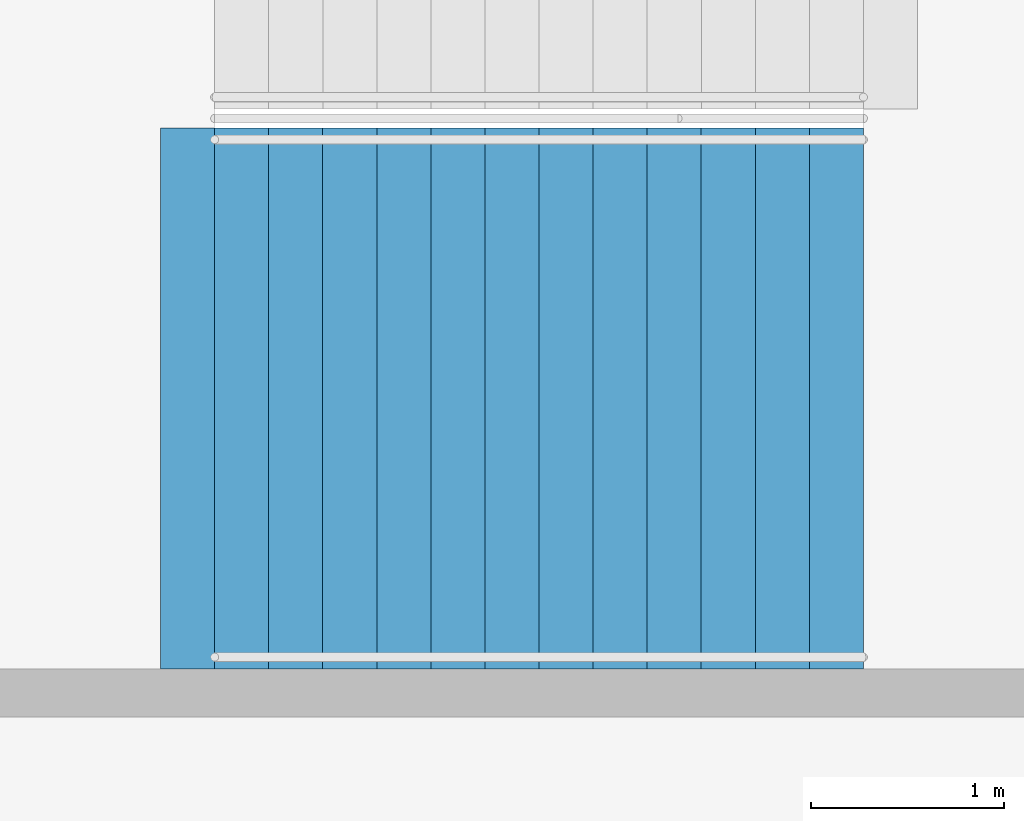
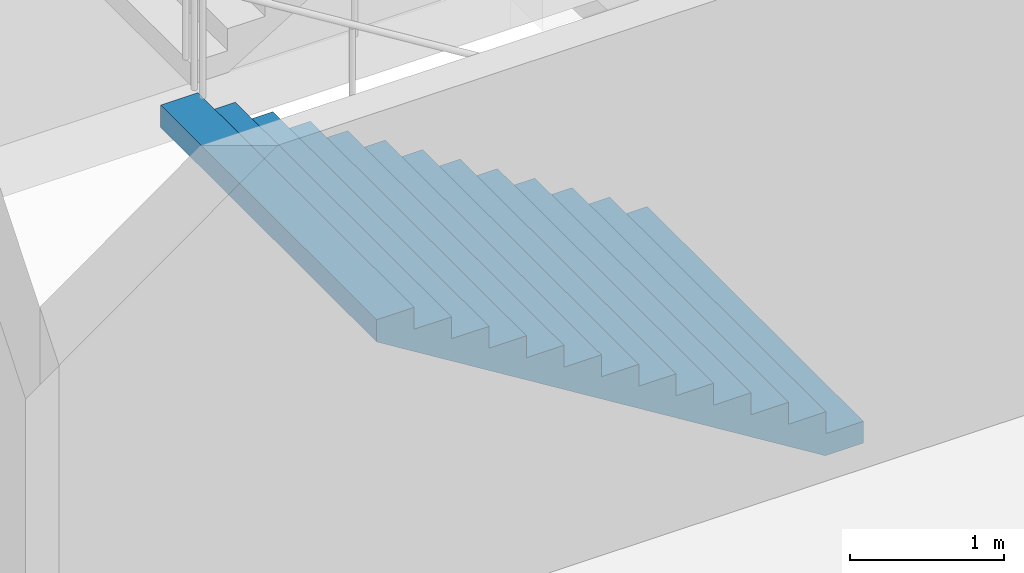
# One storey, part 116 of 199: 1 stair flight, 1 element without a shape of its own.
"""IFC4 building model written with IfcOpenShell, lengths in metres."""

from ifc_helpers import new_model, si_unit, direction, frame, origin, place, context, subcontext, project, spatial, faceted_brep, material, type_object, element, aggregate, save


model = new_model("IFC4")

# Units and contexts
model_context = context("Model", 3, precision=1e-05, world=origin(), true_north=direction((0.0, 1.0)))
body_context = subcontext(model_context, "Body", "Model", "MODEL_VIEW")
ifc_project = project(units=[si_unit("LENGTHUNIT", "METRE"), si_unit("AREAUNIT", "SQUARE_METRE"), si_unit("VOLUMEUNIT", "CUBIC_METRE"), si_unit("PLANEANGLEUNIT", "RADIAN"), si_unit("MASSUNIT", "GRAM", prefix="KILO")], contexts=[model_context])

# Site, building, storey
site_placement = place(None, origin())
site = spatial("IfcSite", under=ifc_project, at=site_placement, CompositionType="ELEMENT")
building_placement = place(site_placement, origin())
building = spatial("IfcBuilding", under=site, at=building_placement, Name="Ogive Plaza Stadium", CompositionType="ELEMENT")
storey_placement = place(building_placement, frame((0.0, 0.0, 4.5)))
storey = spatial("IfcBuildingStorey", under=building, at=storey_placement, Name="L01", CompositionType="ELEMENT", Elevation=4.5)

# Stair, stair flight
ifc_material_1 = material(Name="Concrete C40/50", Category="concrete")
stair_type = type_object("IfcStairType", Name="Exit stair", PredefinedType="STRAIGHT_RUN_STAIR", material=ifc_material_1)
stair_placement = place(storey_placement, origin())
stair = element("IfcStair", 1, at=stair_placement, inside=storey, type_object=stair_type, Name="Exit stair ST22B L01 to L02", PredefinedType="STRAIGHT_RUN_STAIR")
ifc_material_2 = material(Name="Concrete C40/50", Category="concrete")
stair_flight_type = type_object("IfcStairFlightType", Name="Exit stair flight", PredefinedType="STRAIGHT", material=ifc_material_2)
stair_flight_placement = place(storey_placement, frame((-76.35009765625, -41.925048828125, 0.0), z_axis=(0.0, 0.0, 1.0), x_axis=(-1.0, 0.0, 0.0)))
stair_flight = element("IfcStairFlight", 2, at=stair_flight_placement, type_object=stair_flight_type, Name="ST22B flight 1", NumberOfRisers=13, NumberOfTreads=12, PredefinedType="STRAIGHT", RiserHeight=0.173076923, TreadLength=0.28, context=body_context, shape_type="Brep", body=[
    faceted_brep([(0.28515625, -1.39990234375, 0.0), (3.639892578125, -1.39990234375, 2.07373046875), (3.639892578125, -1.39990234375, 2.25), (3.360107421875, -1.39990234375, 2.25), (3.360107421875, -1.39990234375, 2.076904296875), (3.080078125, -1.39990234375, 2.076904296875), (3.080078125, -1.39990234375, 1.90380859375), (2.800048828125, -1.39990234375, 1.90380859375), (2.800048828125, -1.39990234375, 1.730712890625), (2.52001953125, -1.39990234375, 1.730712890625), (2.52001953125, -1.39990234375, 1.5576171875), (2.239990234375, -1.39990234375, 1.5576171875), (2.239990234375, -1.39990234375, 1.384521484375), (1.9599609375, -1.39990234375, 1.384521484375), (1.9599609375, -1.39990234375, 1.21142578125), (1.679931640625, -1.39990234375, 1.21142578125), (1.679931640625, -1.39990234375, 1.03857421875), (1.39990234375, -1.39990234375, 1.03857421875), (1.39990234375, -1.39990234375, 0.865478515625), (1.1201171875, -1.39990234375, 0.865478515625), (1.1201171875, -1.39990234375, 0.6923828125), (0.840087890625, -1.39990234375, 0.6923828125), (0.840087890625, -1.39990234375, 0.519287109375), (0.56005859375, -1.39990234375, 0.519287109375), (0.56005859375, -1.39990234375, 0.34619140625), (0.280029296875, -1.39990234375, 0.34619140625), (0.280029296875, -1.39990234375, 0.173095703125), (0.0, -1.39990234375, 0.173095703125), (0.0, -1.39990234375, 0.0), (0.0, 1.39990234375, 0.0), (0.0, 1.39990234375, 0.173095703125), (0.280029296875, 1.39990234375, 0.173095703125), (0.280029296875, 1.39990234375, 0.34619140625), (0.56005859375, 1.39990234375, 0.34619140625), (0.56005859375, 1.39990234375, 0.519287109375), (0.840087890625, 1.39990234375, 0.519287109375), (0.840087890625, 1.39990234375, 0.6923828125), (1.1201171875, 1.39990234375, 0.6923828125), (1.1201171875, 1.39990234375, 0.865478515625), (1.39990234375, 1.39990234375, 0.865478515625), (1.39990234375, 1.39990234375, 1.03857421875), (1.679931640625, 1.39990234375, 1.03857421875), (1.679931640625, 1.39990234375, 1.21142578125), (1.9599609375, 1.39990234375, 1.21142578125), (1.9599609375, 1.39990234375, 1.384521484375), (2.239990234375, 1.39990234375, 1.384521484375), (2.239990234375, 1.39990234375, 1.5576171875), (2.52001953125, 1.39990234375, 1.5576171875), (2.52001953125, 1.39990234375, 1.730712890625), (2.800048828125, 1.39990234375, 1.730712890625), (2.800048828125, 1.39990234375, 1.90380859375), (3.080078125, 1.39990234375, 1.90380859375), (3.080078125, 1.39990234375, 2.076904296875), (3.360107421875, 1.39990234375, 2.076904296875), (3.360107421875, 1.39990234375, 2.25), (3.639892578125, 1.39990234375, 2.25), (3.639892578125, 1.39990234375, 2.07373046875), (0.28515625, 1.39990234375, 0.0), (0.28515625, -1.0888671875, 0.0), (3.639892578125, -1.0888671875, 2.07373046875), (0.28515625, -0.77783203125, 0.0), (3.639892578125, -0.77783203125, 2.07373046875), (0.28515625, -0.466796875, 0.0), (3.639892578125, -0.466796875, 2.07373046875), (0.28515625, -0.155517578125, 0.0), (3.639892578125, -0.155517578125, 2.07373046875), (0.28515625, 0.155517578125, 0.0), (3.639892578125, 0.155517578125, 2.07373046875), (0.28515625, 0.466796875, 0.0), (3.639892578125, 0.466796875, 2.07373046875), (0.28515625, 0.77783203125, 0.0), (3.639892578125, 0.77783203125, 2.07373046875), (0.28515625, 1.0888671875, 0.0), (3.639892578125, 1.0888671875, 2.07373046875), (3.639892578125, -1.0888671875, 2.25), (3.639892578125, -0.77783203125, 2.25), (3.639892578125, -0.466796875, 2.25), (3.639892578125, -0.155517578125, 2.25), (3.639892578125, 0.155517578125, 2.25), (3.639892578125, 0.466796875, 2.25), (3.639892578125, 0.77783203125, 2.25), (3.639892578125, 1.0888671875, 2.25), (3.360107421875, -1.0888671875, 2.25), (3.360107421875, -0.77783203125, 2.25), (3.360107421875, -0.466796875, 2.25), (3.360107421875, -0.155517578125, 2.25), (3.360107421875, 0.155517578125, 2.25), (3.360107421875, 0.466796875, 2.25), (3.360107421875, 0.77783203125, 2.25), (3.360107421875, 1.0888671875, 2.25), (3.360107421875, -1.0888671875, 2.076904296875), (3.360107421875, -0.77783203125, 2.076904296875), (3.360107421875, -0.466796875, 2.076904296875), (3.360107421875, -0.155517578125, 2.076904296875), (3.360107421875, 0.155517578125, 2.076904296875), (3.360107421875, 0.466796875, 2.076904296875), (3.360107421875, 0.77783203125, 2.076904296875), (3.360107421875, 1.0888671875, 2.076904296875), (3.080078125, -1.0888671875, 2.076904296875), (3.080078125, -0.77783203125, 2.076904296875), (3.080078125, -0.466796875, 2.076904296875), (3.080078125, -0.155517578125, 2.076904296875), (3.080078125, 0.155517578125, 2.076904296875), (3.080078125, 0.466796875, 2.076904296875), (3.080078125, 0.77783203125, 2.076904296875), (3.080078125, 1.0888671875, 2.076904296875), (3.080078125, -1.0888671875, 1.90380859375), (3.080078125, -0.77783203125, 1.90380859375), (3.080078125, -0.466796875, 1.90380859375), (3.080078125, -0.155517578125, 1.90380859375), (3.080078125, 0.155517578125, 1.90380859375), (3.080078125, 0.466796875, 1.90380859375), (3.080078125, 0.77783203125, 1.90380859375), (3.080078125, 1.0888671875, 1.90380859375), (2.800048828125, -1.0888671875, 1.90380859375), (2.800048828125, -0.77783203125, 1.90380859375), (2.800048828125, -0.466796875, 1.90380859375), (2.800048828125, -0.155517578125, 1.90380859375), (2.800048828125, 0.155517578125, 1.90380859375), (2.800048828125, 0.466796875, 1.90380859375), (2.800048828125, 0.77783203125, 1.90380859375), (2.800048828125, 1.0888671875, 1.90380859375), (2.800048828125, -1.0888671875, 1.730712890625), (2.800048828125, -0.77783203125, 1.730712890625), (2.800048828125, -0.466796875, 1.730712890625), (2.800048828125, -0.155517578125, 1.730712890625), (2.800048828125, 0.155517578125, 1.730712890625), (2.800048828125, 0.466796875, 1.730712890625), (2.800048828125, 0.77783203125, 1.730712890625), (2.800048828125, 1.0888671875, 1.730712890625), (2.52001953125, -1.0888671875, 1.730712890625), (2.52001953125, -0.77783203125, 1.730712890625), (2.52001953125, -0.466796875, 1.730712890625), (2.52001953125, -0.155517578125, 1.730712890625), (2.52001953125, 0.155517578125, 1.730712890625), (2.52001953125, 0.466796875, 1.730712890625), (2.52001953125, 0.77783203125, 1.730712890625), (2.52001953125, 1.0888671875, 1.730712890625), (2.52001953125, -1.0888671875, 1.5576171875), (2.52001953125, -0.77783203125, 1.5576171875), (2.52001953125, -0.466796875, 1.5576171875), (2.52001953125, -0.155517578125, 1.5576171875), (2.52001953125, 0.155517578125, 1.5576171875), (2.52001953125, 0.466796875, 1.5576171875), (2.52001953125, 0.77783203125, 1.5576171875), (2.52001953125, 1.0888671875, 1.5576171875), (2.239990234375, -1.0888671875, 1.5576171875), (2.239990234375, -0.77783203125, 1.5576171875), (2.239990234375, -0.466796875, 1.5576171875), (2.239990234375, -0.155517578125, 1.5576171875), (2.239990234375, 0.155517578125, 1.5576171875), (2.239990234375, 0.466796875, 1.5576171875), (2.239990234375, 0.77783203125, 1.5576171875), (2.239990234375, 1.0888671875, 1.5576171875), (2.239990234375, -1.0888671875, 1.384521484375), (2.239990234375, -0.77783203125, 1.384521484375), (2.239990234375, -0.466796875, 1.384521484375), (2.239990234375, -0.155517578125, 1.384521484375), (2.239990234375, 0.155517578125, 1.384521484375), (2.239990234375, 0.466796875, 1.384521484375), (2.239990234375, 0.77783203125, 1.384521484375), (2.239990234375, 1.0888671875, 1.384521484375), (1.9599609375, -1.0888671875, 1.384521484375), (1.9599609375, -0.77783203125, 1.384521484375), (1.9599609375, -0.466796875, 1.384521484375), (1.9599609375, -0.155517578125, 1.384521484375), (1.9599609375, 0.155517578125, 1.384521484375), (1.9599609375, 0.466796875, 1.384521484375), (1.9599609375, 0.77783203125, 1.384521484375), (1.9599609375, 1.0888671875, 1.384521484375), (1.9599609375, -1.0888671875, 1.21142578125), (1.9599609375, -0.77783203125, 1.21142578125), (1.9599609375, -0.466796875, 1.21142578125), (1.9599609375, -0.155517578125, 1.21142578125), (1.9599609375, 0.155517578125, 1.21142578125), (1.9599609375, 0.466796875, 1.21142578125), (1.9599609375, 0.77783203125, 1.21142578125), (1.9599609375, 1.0888671875, 1.21142578125), (1.679931640625, -1.0888671875, 1.21142578125), (1.679931640625, -0.77783203125, 1.21142578125), (1.679931640625, -0.466796875, 1.21142578125), (1.679931640625, -0.155517578125, 1.21142578125), (1.679931640625, 0.155517578125, 1.21142578125), (1.679931640625, 0.466796875, 1.21142578125), (1.679931640625, 0.77783203125, 1.21142578125), (1.679931640625, 1.0888671875, 1.21142578125), (1.679931640625, -1.0888671875, 1.03857421875), (1.679931640625, -0.77783203125, 1.03857421875), (1.679931640625, -0.466796875, 1.03857421875), (1.679931640625, -0.155517578125, 1.03857421875), (1.679931640625, 0.155517578125, 1.03857421875), (1.679931640625, 0.466796875, 1.03857421875), (1.679931640625, 0.77783203125, 1.03857421875), (1.679931640625, 1.0888671875, 1.03857421875), (1.39990234375, -1.0888671875, 1.03857421875), (1.39990234375, -0.77783203125, 1.03857421875), (1.39990234375, -0.466796875, 1.03857421875), (1.39990234375, -0.155517578125, 1.03857421875), (1.39990234375, 0.155517578125, 1.03857421875), (1.39990234375, 0.466796875, 1.03857421875), (1.39990234375, 0.77783203125, 1.03857421875), (1.39990234375, 1.0888671875, 1.03857421875), (1.39990234375, -1.0888671875, 0.865478515625), (1.39990234375, -0.77783203125, 0.865478515625), (1.39990234375, -0.466796875, 0.865478515625), (1.39990234375, -0.155517578125, 0.865478515625), (1.39990234375, 0.155517578125, 0.865478515625), (1.39990234375, 0.466796875, 0.865478515625), (1.39990234375, 0.77783203125, 0.865478515625), (1.39990234375, 1.0888671875, 0.865478515625), (1.1201171875, -1.0888671875, 0.865478515625), (1.1201171875, -0.77783203125, 0.865478515625), (1.1201171875, -0.466796875, 0.865478515625), (1.1201171875, -0.155517578125, 0.865478515625), (1.1201171875, 0.155517578125, 0.865478515625), (1.1201171875, 0.466796875, 0.865478515625), (1.1201171875, 0.77783203125, 0.865478515625), (1.1201171875, 1.0888671875, 0.865478515625), (1.1201171875, -1.0888671875, 0.6923828125), (1.1201171875, -0.77783203125, 0.6923828125), (1.1201171875, -0.466796875, 0.6923828125), (1.1201171875, -0.155517578125, 0.6923828125), (1.1201171875, 0.155517578125, 0.6923828125), (1.1201171875, 0.466796875, 0.6923828125), (1.1201171875, 0.77783203125, 0.6923828125), (1.1201171875, 1.0888671875, 0.6923828125), (0.840087890625, -1.0888671875, 0.6923828125), (0.840087890625, -0.77783203125, 0.6923828125), (0.840087890625, -0.466796875, 0.6923828125), (0.840087890625, -0.155517578125, 0.6923828125), (0.840087890625, 0.155517578125, 0.6923828125), (0.840087890625, 0.466796875, 0.6923828125), (0.840087890625, 0.77783203125, 0.6923828125), (0.840087890625, 1.0888671875, 0.6923828125), (0.840087890625, -1.0888671875, 0.519287109375), (0.840087890625, -0.77783203125, 0.519287109375), (0.840087890625, -0.466796875, 0.519287109375), (0.840087890625, -0.155517578125, 0.519287109375), (0.840087890625, 0.155517578125, 0.519287109375), (0.840087890625, 0.466796875, 0.519287109375), (0.840087890625, 0.77783203125, 0.519287109375), (0.840087890625, 1.0888671875, 0.519287109375), (0.56005859375, -1.0888671875, 0.519287109375), (0.56005859375, -0.77783203125, 0.519287109375), (0.56005859375, -0.466796875, 0.519287109375), (0.56005859375, -0.155517578125, 0.519287109375), (0.56005859375, 0.155517578125, 0.519287109375), (0.56005859375, 0.466796875, 0.519287109375), (0.56005859375, 0.77783203125, 0.519287109375), (0.56005859375, 1.0888671875, 0.519287109375), (0.56005859375, -1.0888671875, 0.34619140625), (0.56005859375, -0.77783203125, 0.34619140625), (0.56005859375, -0.466796875, 0.34619140625), (0.56005859375, -0.155517578125, 0.34619140625), (0.56005859375, 0.155517578125, 0.34619140625), (0.56005859375, 0.466796875, 0.34619140625), (0.56005859375, 0.77783203125, 0.34619140625), (0.56005859375, 1.0888671875, 0.34619140625), (0.280029296875, -1.0888671875, 0.34619140625), (0.280029296875, -0.77783203125, 0.34619140625), (0.280029296875, -0.466796875, 0.34619140625), (0.280029296875, -0.155517578125, 0.34619140625), (0.280029296875, 0.155517578125, 0.34619140625), (0.280029296875, 0.466796875, 0.34619140625), (0.280029296875, 0.77783203125, 0.34619140625), (0.280029296875, 1.0888671875, 0.34619140625), (0.280029296875, -1.0888671875, 0.173095703125), (0.280029296875, -0.77783203125, 0.173095703125), (0.280029296875, -0.466796875, 0.173095703125), (0.280029296875, -0.155517578125, 0.173095703125), (0.280029296875, 0.155517578125, 0.173095703125), (0.280029296875, 0.466796875, 0.173095703125), (0.280029296875, 0.77783203125, 0.173095703125), (0.280029296875, 1.0888671875, 0.173095703125), (0.0, -1.0888671875, 0.173095703125), (0.0, -0.77783203125, 0.173095703125), (0.0, -0.466796875, 0.173095703125), (0.0, -0.155517578125, 0.173095703125), (0.0, 0.155517578125, 0.173095703125), (0.0, 0.466796875, 0.173095703125), (0.0, 0.77783203125, 0.173095703125), (0.0, 1.0888671875, 0.173095703125), (0.0, -1.0888671875, 0.0), (0.0, -0.77783203125, 0.0), (0.0, -0.466796875, 0.0), (0.0, -0.155517578125, 0.0), (0.0, 0.155517578125, 0.0), (0.0, 0.466796875, 0.0), (0.0, 0.77783203125, 0.0), (0.0, 1.0888671875, 0.0)], [[[0, 1, 2, 3, 4, 5, 6, 7, 8, 9, 10, 11, 12, 13, 14, 15, 16, 17, 18, 19, 20, 21, 22, 23, 24, 25, 26, 27, 28]], [[29, 30, 31, 32, 33, 34, 35, 36, 37, 38, 39, 40, 41, 42, 43, 44, 45, 46, 47, 48, 49, 50, 51, 52, 53, 54, 55, 56, 57]], [[0, 58, 59, 1]], [[58, 60, 61, 59]], [[60, 62, 63, 61]], [[62, 64, 65, 63]], [[64, 66, 67, 65]], [[66, 68, 69, 67]], [[68, 70, 71, 69]], [[70, 72, 73, 71]], [[72, 57, 56, 73]], [[1, 59, 74, 2]], [[59, 61, 75, 74]], [[61, 63, 76, 75]], [[63, 65, 77, 76]], [[65, 67, 78, 77]], [[67, 69, 79, 78]], [[69, 71, 80, 79]], [[71, 73, 81, 80]], [[73, 56, 55, 81]], [[2, 74, 82, 3]], [[74, 75, 83, 82]], [[75, 76, 84, 83]], [[76, 77, 85, 84]], [[77, 78, 86, 85]], [[78, 79, 87, 86]], [[79, 80, 88, 87]], [[80, 81, 89, 88]], [[81, 55, 54, 89]], [[3, 82, 90, 4]], [[82, 83, 91, 90]], [[83, 84, 92, 91]], [[84, 85, 93, 92]], [[85, 86, 94, 93]], [[86, 87, 95, 94]], [[87, 88, 96, 95]], [[88, 89, 97, 96]], [[89, 54, 53, 97]], [[4, 90, 98, 5]], [[90, 91, 99, 98]], [[91, 92, 100, 99]], [[92, 93, 101, 100]], [[93, 94, 102, 101]], [[94, 95, 103, 102]], [[95, 96, 104, 103]], [[96, 97, 105, 104]], [[97, 53, 52, 105]], [[5, 98, 106, 6]], [[98, 99, 107, 106]], [[99, 100, 108, 107]], [[100, 101, 109, 108]], [[101, 102, 110, 109]], [[102, 103, 111, 110]], [[103, 104, 112, 111]], [[104, 105, 113, 112]], [[105, 52, 51, 113]], [[6, 106, 114, 7]], [[106, 107, 115, 114]], [[107, 108, 116, 115]], [[108, 109, 117, 116]], [[109, 110, 118, 117]], [[110, 111, 119, 118]], [[111, 112, 120, 119]], [[112, 113, 121, 120]], [[113, 51, 50, 121]], [[7, 114, 122, 8]], [[114, 115, 123, 122]], [[115, 116, 124, 123]], [[116, 117, 125, 124]], [[117, 118, 126, 125]], [[118, 119, 127, 126]], [[119, 120, 128, 127]], [[120, 121, 129, 128]], [[121, 50, 49, 129]], [[8, 122, 130, 9]], [[122, 123, 131, 130]], [[123, 124, 132, 131]], [[124, 125, 133, 132]], [[125, 126, 134, 133]], [[126, 127, 135, 134]], [[127, 128, 136, 135]], [[128, 129, 137, 136]], [[129, 49, 48, 137]], [[9, 130, 138, 10]], [[130, 131, 139, 138]], [[131, 132, 140, 139]], [[132, 133, 141, 140]], [[133, 134, 142, 141]], [[134, 135, 143, 142]], [[135, 136, 144, 143]], [[136, 137, 145, 144]], [[137, 48, 47, 145]], [[10, 138, 146, 11]], [[138, 139, 147, 146]], [[139, 140, 148, 147]], [[140, 141, 149, 148]], [[141, 142, 150, 149]], [[142, 143, 151, 150]], [[143, 144, 152, 151]], [[144, 145, 153, 152]], [[145, 47, 46, 153]], [[11, 146, 154, 12]], [[146, 147, 155, 154]], [[147, 148, 156, 155]], [[148, 149, 157, 156]], [[149, 150, 158, 157]], [[150, 151, 159, 158]], [[151, 152, 160, 159]], [[152, 153, 161, 160]], [[153, 46, 45, 161]], [[12, 154, 162, 13]], [[154, 155, 163, 162]], [[155, 156, 164, 163]], [[156, 157, 165, 164]], [[157, 158, 166, 165]], [[158, 159, 167, 166]], [[159, 160, 168, 167]], [[160, 161, 169, 168]], [[161, 45, 44, 169]], [[13, 162, 170, 14]], [[162, 163, 171, 170]], [[163, 164, 172, 171]], [[164, 165, 173, 172]], [[165, 166, 174, 173]], [[166, 167, 175, 174]], [[167, 168, 176, 175]], [[168, 169, 177, 176]], [[169, 44, 43, 177]], [[14, 170, 178, 15]], [[170, 171, 179, 178]], [[171, 172, 180, 179]], [[172, 173, 181, 180]], [[173, 174, 182, 181]], [[174, 175, 183, 182]], [[175, 176, 184, 183]], [[176, 177, 185, 184]], [[177, 43, 42, 185]], [[15, 178, 186, 16]], [[178, 179, 187, 186]], [[179, 180, 188, 187]], [[180, 181, 189, 188]], [[181, 182, 190, 189]], [[182, 183, 191, 190]], [[183, 184, 192, 191]], [[184, 185, 193, 192]], [[185, 42, 41, 193]], [[16, 186, 194, 17]], [[186, 187, 195, 194]], [[187, 188, 196, 195]], [[188, 189, 197, 196]], [[189, 190, 198, 197]], [[190, 191, 199, 198]], [[191, 192, 200, 199]], [[192, 193, 201, 200]], [[193, 41, 40, 201]], [[17, 194, 202, 18]], [[194, 195, 203, 202]], [[195, 196, 204, 203]], [[196, 197, 205, 204]], [[197, 198, 206, 205]], [[198, 199, 207, 206]], [[199, 200, 208, 207]], [[200, 201, 209, 208]], [[201, 40, 39, 209]], [[18, 202, 210, 19]], [[202, 203, 211, 210]], [[203, 204, 212, 211]], [[204, 205, 213, 212]], [[205, 206, 214, 213]], [[206, 207, 215, 214]], [[207, 208, 216, 215]], [[208, 209, 217, 216]], [[209, 39, 38, 217]], [[19, 210, 218, 20]], [[210, 211, 219, 218]], [[211, 212, 220, 219]], [[212, 213, 221, 220]], [[213, 214, 222, 221]], [[214, 215, 223, 222]], [[215, 216, 224, 223]], [[216, 217, 225, 224]], [[217, 38, 37, 225]], [[20, 218, 226, 21]], [[218, 219, 227, 226]], [[219, 220, 228, 227]], [[220, 221, 229, 228]], [[221, 222, 230, 229]], [[222, 223, 231, 230]], [[223, 224, 232, 231]], [[224, 225, 233, 232]], [[225, 37, 36, 233]], [[21, 226, 234, 22]], [[226, 227, 235, 234]], [[227, 228, 236, 235]], [[228, 229, 237, 236]], [[229, 230, 238, 237]], [[230, 231, 239, 238]], [[231, 232, 240, 239]], [[232, 233, 241, 240]], [[233, 36, 35, 241]], [[22, 234, 242, 23]], [[234, 235, 243, 242]], [[235, 236, 244, 243]], [[236, 237, 245, 244]], [[237, 238, 246, 245]], [[238, 239, 247, 246]], [[239, 240, 248, 247]], [[240, 241, 249, 248]], [[241, 35, 34, 249]], [[23, 242, 250, 24]], [[242, 243, 251, 250]], [[243, 244, 252, 251]], [[244, 245, 253, 252]], [[245, 246, 254, 253]], [[246, 247, 255, 254]], [[247, 248, 256, 255]], [[248, 249, 257, 256]], [[249, 34, 33, 257]], [[24, 250, 258, 25]], [[250, 251, 259, 258]], [[251, 252, 260, 259]], [[252, 253, 261, 260]], [[253, 254, 262, 261]], [[254, 255, 263, 262]], [[255, 256, 264, 263]], [[256, 257, 265, 264]], [[257, 33, 32, 265]], [[25, 258, 266, 26]], [[258, 259, 267, 266]], [[259, 260, 268, 267]], [[260, 261, 269, 268]], [[261, 262, 270, 269]], [[262, 263, 271, 270]], [[263, 264, 272, 271]], [[264, 265, 273, 272]], [[265, 32, 31, 273]], [[26, 266, 274, 27]], [[266, 267, 275, 274]], [[267, 268, 276, 275]], [[268, 269, 277, 276]], [[269, 270, 278, 277]], [[270, 271, 279, 278]], [[271, 272, 280, 279]], [[272, 273, 281, 280]], [[273, 31, 30, 281]], [[27, 274, 282, 28]], [[274, 275, 283, 282]], [[275, 276, 284, 283]], [[276, 277, 285, 284]], [[277, 278, 286, 285]], [[278, 279, 287, 286]], [[279, 280, 288, 287]], [[280, 281, 289, 288]], [[281, 30, 29, 289]], [[28, 282, 58, 0]], [[282, 283, 60, 58]], [[283, 284, 62, 60]], [[284, 285, 64, 62]], [[285, 286, 66, 64]], [[286, 287, 68, 66]], [[287, 288, 70, 68]], [[288, 289, 72, 70]], [[289, 29, 57, 72]]]),
])
aggregate(stair, [stair_flight])

save(model, "model.ifc")
